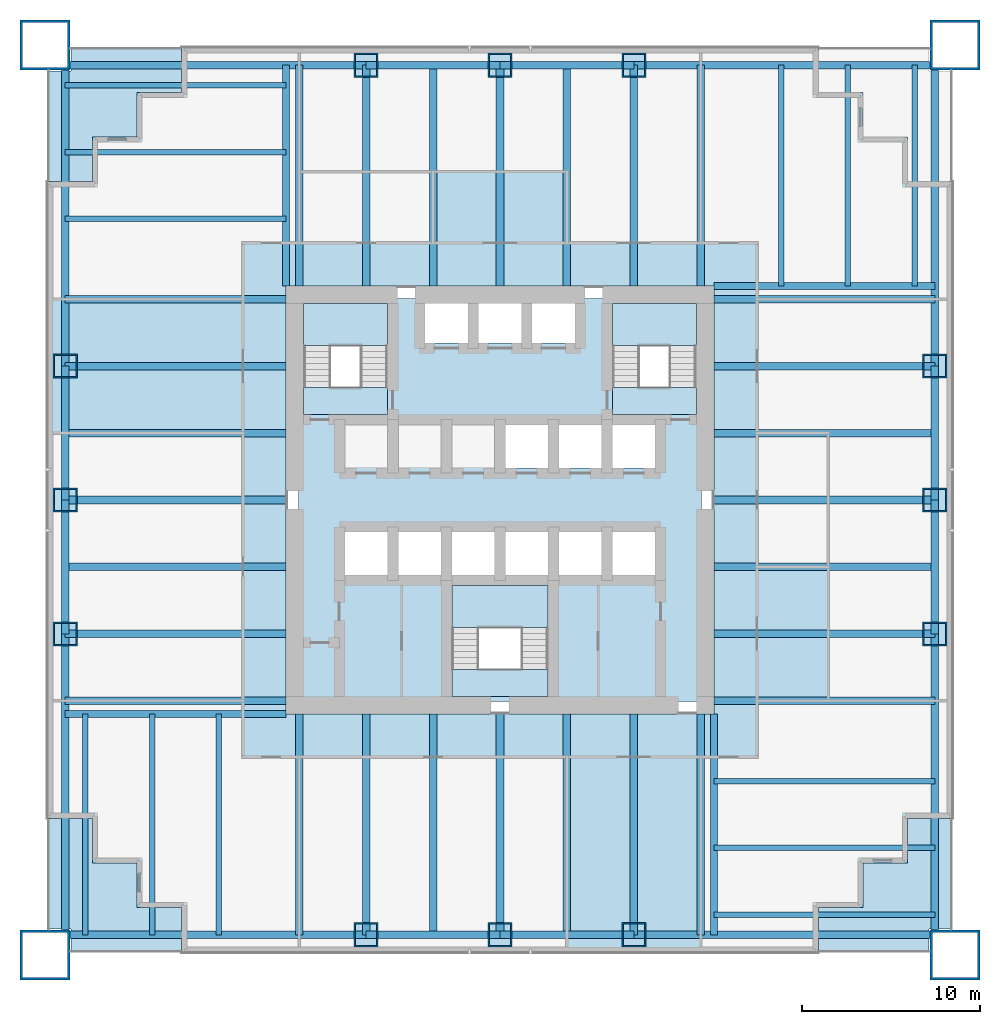
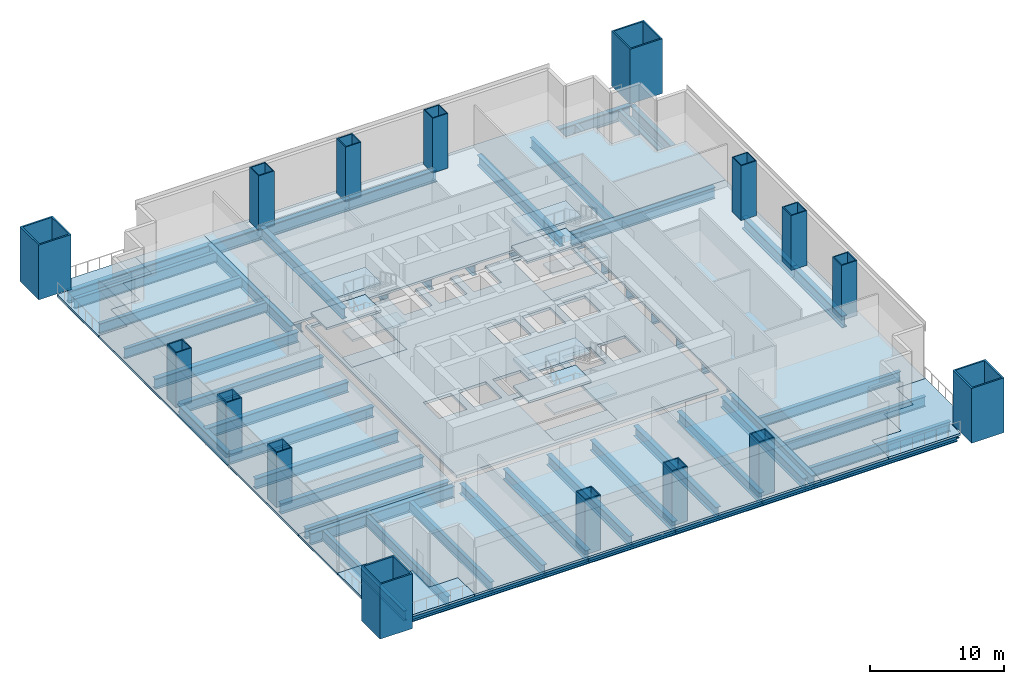
# One storey, part 1 of 7: 60 beams, 20 slabs, 16 columns, 3 elements without a shape of their own.
"""IFC4 building model written with IfcOpenShell, lengths in metres."""

import ifcopenshell
import ifcopenshell.guid

model = None  # the IFC model being written
_history = None  # IfcOwnerHistory: only IFC2X3 demands one
_inside = {}  # id of a spatial element -> (the spatial element, [elements in it])
_under = {}  # id of a project, library or spatial element -> (it, [spatial elements below it])
_declared = {}  # id of a project -> (the project, [libraries it declares])
_typed = {}  # id of a type object -> (the type object, [elements of that type])
_made_of = {}  # id of a material, layer set ... -> (it, [elements and type objects made of it])


def new_model(schema):
    """Start an empty IFC model of exactly this schema.

    Asked for "IFC4X3", IfcOpenShell would pick the latest addendum, in which some entities
    have other attributes; the version numbers below select the first issue.
    IFC2X3 requires an IfcOwnerHistory on every rooted entity: one is made here for all.
    """
    global model, _history
    if schema == "IFC4X3":
        model = ifcopenshell.file(schema_version=(4, 3, 0, 0))
    else:
        model = ifcopenshell.file(schema=schema)
    _inside.clear()
    _under.clear()
    _declared.clear()
    _typed.clear()
    _made_of.clear()
    _history = None
    if model.schema == "IFC2X3":
        org = make("IfcOrganization", Name="unknown")
        user = make(
            "IfcPersonAndOrganization",
            ThePerson=make("IfcPerson", FamilyName="unknown"),
            TheOrganization=org,
        )
        app = make(
            "IfcApplication",
            ApplicationDeveloper=org,
            Version="unknown",
            ApplicationFullName="unknown",
            ApplicationIdentifier="unknown",
        )
        _history = make(
            "IfcOwnerHistory",
            OwningUser=user,
            OwningApplication=app,
            ChangeAction="ADDED",
            CreationDate=0,
        )
    return model


def make(cls, **values):
    """One entity of the class cls with the attributes given. An attribute that is None is left unset."""
    return model.create_entity(
        cls, **{name: value for name, value in values.items() if value is not None}
    )


def rooted(cls, **values):
    """An entity with a GlobalId (a new one), such as an element, a storey or a relation."""
    return make(cls, GlobalId=ifcopenshell.guid.new(), OwnerHistory=_history, **values)


def si_unit(unit_type, name, prefix=None):
    """IfcSIUnit, for example si_unit("LENGTHUNIT", "METRE", prefix="MILLI")."""
    return make("IfcSIUnit", UnitType=unit_type, Prefix=prefix, Name=name)


def assignment(units):
    """IfcUnitAssignment: the units of a project."""
    return None if units is None else make("IfcUnitAssignment", Units=units)


def point(xyz):
    """IfcCartesianPoint."""
    return None if xyz is None else make("IfcCartesianPoint", Coordinates=xyz)


def direction(xyz):
    """IfcDirection."""
    return None if xyz is None else make("IfcDirection", DirectionRatios=xyz)


def frame(location, z_axis=None, x_axis=None):
    """IfcAxis2Placement3D, a coordinate frame: its origin and axes. An axis left out is left unset."""
    return make(
        "IfcAxis2Placement3D",
        Location=point(location),
        Axis=direction(z_axis),
        RefDirection=direction(x_axis),
    )


def frame_2d(location, x_axis=None):
    """IfcAxis2Placement2D, a coordinate frame in the plane: its origin and x axis."""
    return make(
        "IfcAxis2Placement2D", Location=point(location), RefDirection=direction(x_axis)
    )


def origin():
    """The frame at (0, 0, 0) with its axes left unset."""
    return frame((0.0, 0.0, 0.0))


def origin_2d():
    """The frame at (0, 0) in the plane with its x axis left unset."""
    return frame_2d((0.0, 0.0))


def place(relative_to, where):
    """IfcLocalPlacement: puts the frame where relative to a parent placement (None: the world)."""
    return make(
        "IfcLocalPlacement", PlacementRelTo=relative_to, RelativePlacement=where
    )


def context(
    kind, dimensions, precision=None, world=None, true_north=None, identifier=None
):
    """IfcGeometricRepresentationContext, for example the 3D "Model" context."""
    return make(
        "IfcGeometricRepresentationContext",
        ContextIdentifier=identifier,
        ContextType=kind,
        CoordinateSpaceDimension=dimensions,
        Precision=precision,
        WorldCoordinateSystem=world,
        TrueNorth=true_north,
    )


def subcontext(parent, identifier, kind, view, scale=None):
    """IfcGeometricRepresentationSubContext, for example "Body" below "Model"."""
    return make(
        "IfcGeometricRepresentationSubContext",
        ContextIdentifier=identifier,
        ContextType=kind,
        ParentContext=parent,
        TargetScale=scale,
        TargetView=view,
    )


def project(units=None, contexts=None):
    """IfcProject with its units and contexts."""
    return rooted(
        "IfcProject",
        Name="project",
        RepresentationContexts=contexts,
        UnitsInContext=assignment(units),
    )


def spatial(cls, under=None, at=None, **own):
    """A site, building, storey or space (cls), placed at a placement, below another one or the project."""
    s = rooted(cls, ObjectPlacement=at, **own)
    if under is not None:
        _under.setdefault(under.id(), (under, []))[1].append(s)
    return s


def polyline(points):
    """IfcPolyline through the points."""
    return make("IfcPolyline", Points=[point(p) for p in points])


def profile(cls, at=None, kind="AREA", **sizes):
    """A parametric profile (cls). Its sizes go by their IFC names, for example OverallWidth=200.0."""
    return make(cls, ProfileType=kind, Position=at, **sizes)


def hollow_rectangle(**sizes):
    """IfcRectangleHollowProfileDef."""
    return profile("IfcRectangleHollowProfileDef", **sizes)


def i_section(**sizes):
    """IfcIShapeProfileDef."""
    return profile("IfcIShapeProfileDef", **sizes)


def outline(outer, holes=None, kind="AREA"):
    """IfcArbitraryClosedProfileDef: a profile drawn as a closed curve; with holes, ...WithVoids."""
    if holes is None:
        return make("IfcArbitraryClosedProfileDef", ProfileType=kind, OuterCurve=outer)
    return make(
        "IfcArbitraryProfileDefWithVoids",
        ProfileType=kind,
        OuterCurve=outer,
        InnerCurves=holes,
    )


def extrude(swept, where, along, depth):
    """IfcExtrudedAreaSolid: the profile swept, set in the frame where, extruded along a direction by depth."""
    return make(
        "IfcExtrudedAreaSolid",
        SweptArea=swept,
        Position=where,
        ExtrudedDirection=direction(along),
        Depth=depth,
    )


def shape(context_of_items, identifier, shape_type, items):
    """IfcShapeRepresentation: the items that make up one representation, for example the "Body"."""
    return make(
        "IfcShapeRepresentation",
        ContextOfItems=context_of_items,
        RepresentationIdentifier=identifier,
        RepresentationType=shape_type,
        Items=items,
    )


def material(Name=None, Category=None):
    """IfcMaterial."""
    return make("IfcMaterial", Name=Name, Category=Category)


def layer(
    of_material, thickness, ventilated=None, Name=None, Category=None, Priority=None
):
    """IfcMaterialLayer: one layer of a wall or slab, of a material (None: an air gap)."""
    return make(
        "IfcMaterialLayer",
        Material=of_material,
        LayerThickness=thickness,
        IsVentilated=ventilated,
        Name=Name,
        Category=Category,
        Priority=Priority,
    )


def layer_set(layers, Name=None):
    """IfcMaterialLayerSet."""
    return make("IfcMaterialLayerSet", MaterialLayers=layers, LayerSetName=Name)


def material_profile(
    of_material, cross_section, Name=None, Category=None, Priority=None
):
    """IfcMaterialProfile: a cross section and its material."""
    return make(
        "IfcMaterialProfile",
        Name=Name,
        Material=of_material,
        Profile=cross_section,
        Priority=Priority,
        Category=Category,
    )


def profile_set(profiles, Name=None, composite=None):
    """IfcMaterialProfileSet."""
    return make(
        "IfcMaterialProfileSet",
        Name=Name,
        MaterialProfiles=profiles,
        CompositeProfile=composite,
    )


def made_of(thing, what):
    """Note that an element or type object is made of a material, layer set ...; save() writes the relation."""
    if what is not None:
        _made_of.setdefault(what.id(), (what, []))[1].append(thing)
    return thing


def type_object(cls, material=None, **own):
    """A type object (cls), such as IfcWallType, which elements share."""
    return made_of(rooted(cls, **own), material)


def element(
    cls,
    number,
    at=None,
    inside=None,
    cuts=None,
    type_object=None,
    material=None,
    context=None,
    identifier="Body",
    shape_type=None,
    held_by="IfcProductDefinitionShape",
    body=None,
    shapes=None,
    **own,
):
    """One element of the class cls, such as IfcWall. Its Tag is "e" and its number.

    at: its placement. inside: the storey or other place that contains it. cuts: it is an
    opening in that element (IfcRelVoidsElement). A single representation is given by context,
    identifier, shape_type and body (its items); several are given by shapes. held_by: the class
    of the entity that holds the representations. save() writes the other relations.
    """
    e = rooted(cls, Tag="e%d" % number, ObjectPlacement=at, **own)
    if body is not None:
        shapes = [shape(context, identifier, shape_type, body)]
    if shapes is not None:
        e.Representation = make(held_by, Representations=shapes)
    if inside is not None:
        _inside.setdefault(inside.id(), (inside, []))[1].append(e)
    if cuts is not None:
        rooted(
            "IfcRelVoidsElement", RelatingBuildingElement=cuts, RelatedOpeningElement=e
        )
    if type_object is not None:
        _typed.setdefault(type_object.id(), (type_object, []))[1].append(e)
    return made_of(e, material)


def aggregate(whole, parts):
    """IfcRelAggregates: a whole, such as a stair, and the parts it consists of."""
    return rooted("IfcRelAggregates", RelatingObject=whole, RelatedObjects=parts)


def save(model, path):
    """Write the relations noted so far, then the file.

    IfcRelAggregates (storeys below a building ...), IfcRelContainedInSpatialStructure (elements
    in a storey), IfcRelDefinesByType, IfcRelAssociatesMaterial and IfcRelDeclares: one each for
    every whole, place, type object, material and project.
    """
    for whole, parts in _under.values():
        aggregate(whole, parts)
    for where, things in _inside.values():
        rooted(
            "IfcRelContainedInSpatialStructure",
            RelatedElements=things,
            RelatingStructure=where,
        )
    for kind, things in _typed.values():
        rooted("IfcRelDefinesByType", RelatedObjects=things, RelatingType=kind)
    for what, things in _made_of.values():
        rooted("IfcRelAssociatesMaterial", RelatedObjects=things, RelatingMaterial=what)
    for by, libraries in _declared.values():
        rooted("IfcRelDeclares", RelatingContext=by, RelatedDefinitions=libraries)
    model.write(path)


model = new_model("IFC4")

# Units and contexts
model_context = context("Model", 3, precision=1e-05, world=origin(), true_north=direction((0.0, 1.0)))
body_context = subcontext(model_context, "Body", "Model", "MODEL_VIEW")
ifc_project = project(units=[si_unit("LENGTHUNIT", "METRE"), si_unit("AREAUNIT", "SQUARE_METRE"), si_unit("VOLUMEUNIT", "CUBIC_METRE"), si_unit("PLANEANGLEUNIT", "RADIAN"), si_unit("MASSUNIT", "GRAM", prefix="KILO")], contexts=[model_context])

# Site, building, storey
site_placement = place(None, origin())
site = spatial("IfcSite", under=ifc_project, at=site_placement, CompositionType="ELEMENT")
building_placement = place(site_placement, origin())
building = spatial("IfcBuilding", under=site, at=building_placement, Name="Tarangal Relay Tower", CompositionType="ELEMENT")
storey_placement = place(building_placement, frame((0.0, 0.0, 43.39990234375)))
storey = spatial("IfcBuildingStorey", under=building, at=storey_placement, Name="L08", CompositionType="ELEMENT", Elevation=43.39990234375)

# Columns
ifc_material_1 = material(Name="Steel ASTM A572 Grade 42", Category="steel")
ifc_material_profile_1 = material_profile(ifc_material_1, hollow_rectangle(XDim=2.800048828125, YDim=2.800048828125, WallThickness=0.139892578125, at=origin_2d()), Name="BOX2800X2800X140")
ifc_profile_set_1 = profile_set([ifc_material_profile_1], Name="Steel ASTM A572 Grade 42")
column_type_1 = type_object("IfcColumnType", Name="Mega column BOX2800X2800X140", PredefinedType="COLUMN", material=ifc_profile_set_1)
for number, where, z_axis, x_axis, name in (
    (1, (25.5, 25.5, 0.0), (0.0, 0.0, 1.0), (1.0, 0.0, 0.0), "Mega column MC1 NE L08"),
    (2, (25.5, -25.5, 0.0), (0.0, 0.0, 1.0), (1.0, 0.0, 0.0), "Mega column MC1 SE L08"),
    (3, (-25.5, -25.5, 0.0), (0.0, 0.0, 1.0), (1.0, 0.0, 0.0), "Mega column MC1 SW L08"),
    (4, (-25.5, 25.5, 0.0), (0.0, 0.0, 1.0), (1.0, 0.0, 0.0), "Mega column MC1 NW L08"),
):
    element("IfcColumn", number, at=place(storey_placement, frame(where, z_axis=z_axis, x_axis=x_axis)), inside=storey, type_object=column_type_1, Name=name, PredefinedType="COLUMN", context=body_context, shape_type="SweptSolid", body=[
        extrude(hollow_rectangle(XDim=2.800048828125, YDim=2.800048828125, WallThickness=0.139892578125, at=origin_2d()), origin(), (0.0, 0.0, 1.0), 5.0),
    ])
ifc_material_2 = material(Name="Steel ASTM A572 Grade 50", Category="steel")
ifc_material_profile_2 = material_profile(ifc_material_2, hollow_rectangle(XDim=1.35009765625, YDim=1.35009765625, WallThickness=0.0849609375, at=origin_2d()), Name="BOX1350X1350X85")
ifc_profile_set_2 = profile_set([ifc_material_profile_2], Name="Steel ASTM A572 Grade 50")
column_type_2 = type_object("IfcColumnType", Name="Perimeter column BOX1350X1350X85", PredefinedType="COLUMN", material=ifc_profile_set_2)
for number, where, z_axis, x_axis, name in (
    (5, (-7.5, 24.364990234375, 0.0), (0.0, 0.0, 1.0), (1.0, 0.0, 0.0), "Perimeter column PC2 N L08"),
    (6, (0.0, 24.364990234375, 0.0), (0.0, 0.0, 1.0), (1.0, 0.0, 0.0), "Perimeter column PC2 N L08"),
    (7, (7.5, 24.364990234375, 0.0), (0.0, 0.0, 1.0), (1.0, 0.0, 0.0), "Perimeter column PC2 N L08"),
    (8, (24.364990234375, 7.5, 0.0), (0.0, 0.0, 1.0), (1.0, 0.0, 0.0), "Perimeter column PC2 E L08"),
    (9, (24.364990234375, 0.0, 0.0), (0.0, 0.0, 1.0), (1.0, 0.0, 0.0), "Perimeter column PC2 E L08"),
    (10, (24.364990234375, -7.5, 0.0), (0.0, 0.0, 1.0), (1.0, 0.0, 0.0), "Perimeter column PC2 E L08"),
    (11, (7.5, -24.364990234375, 0.0), (0.0, 0.0, 1.0), (1.0, 0.0, 0.0), "Perimeter column PC2 S L08"),
    (12, (0.0, -24.364990234375, 0.0), (0.0, 0.0, 1.0), (1.0, 0.0, 0.0), "Perimeter column PC2 S L08"),
    (13, (-7.5, -24.364990234375, 0.0), (0.0, 0.0, 1.0), (1.0, 0.0, 0.0), "Perimeter column PC2 S L08"),
    (14, (-24.364990234375, -7.5, 0.0), (0.0, 0.0, 1.0), (1.0, 0.0, 0.0), "Perimeter column PC2 W L08"),
    (15, (-24.364990234375, 0.0, 0.0), (0.0, 0.0, 1.0), (1.0, 0.0, 0.0), "Perimeter column PC2 W L08"),
    (16, (-24.364990234375, 7.5, 0.0), (0.0, 0.0, 1.0), (1.0, 0.0, 0.0), "Perimeter column PC2 W L08"),
):
    element("IfcColumn", number, at=place(storey_placement, frame(where, z_axis=z_axis, x_axis=x_axis)), inside=storey, type_object=column_type_2, Name=name, PredefinedType="COLUMN", context=body_context, shape_type="SweptSolid", body=[
        extrude(hollow_rectangle(XDim=1.35009765625, YDim=1.35009765625, WallThickness=0.0849609375, at=origin_2d()), origin(), (0.0, 0.0, 1.0), 5.0),
    ])

# Beams
ifc_material_3 = material(Name="Steel ASTM A992", Category="steel")
ifc_material_profile_3 = material_profile(ifc_material_3, i_section(OverallWidth=0.307373046875, OverallDepth=0.927001953125, WebThickness=0.019287109375, FlangeThickness=0.031982421875, at=origin_2d()), Name="W36X194")
ifc_profile_set_3 = profile_set([ifc_material_profile_3], Name="Steel ASTM A992")
beam_type_1 = type_object("IfcBeamType", Name="Corner beam W36X194", PredefinedType="JOIST", material=ifc_profile_set_3)
for number, where, z_axis, x_axis, name in (
    (17, (15.75, 12.0, -0.66357421875), (0.0, 1.0, 0.0), (-1.0, 0.0, 0.0), "Corner beam CB10 N L08"),
    (18, (19.5, 12.0, -0.66357421875), (0.0, 1.0, 0.0), (-1.0, 0.0, 0.0), "Corner beam CB10 N L08"),
    (19, (23.25, 12.0, -0.66357421875), (0.0, 1.0, 0.0), (-1.0, 0.0, 0.0), "Corner beam CB10 N L08"),
    (20, (12.0, -15.75, -0.66357421875), (1.0, 0.0, 0.0), (0.0, 1.0, 0.0), "Corner beam CB10 E L08"),
    (21, (12.0, -19.5, -0.66357421875), (1.0, 0.0, 0.0), (0.0, 1.0, 0.0), "Corner beam CB10 E L08"),
    (22, (12.0, -23.25, -0.66357421875), (1.0, 0.0, 0.0), (0.0, 1.0, 0.0), "Corner beam CB10 E L08"),
    (23, (-15.75, -12.0, -0.66357421875), (0.0, -1.0, 0.0), (1.0, 0.0, 0.0), "Corner beam CB10 S L08"),
    (24, (-19.5, -12.0, -0.66357421875), (0.0, -1.0, 0.0), (1.0, 0.0, 0.0), "Corner beam CB10 S L08"),
    (25, (-23.25, -12.0, -0.66357421875), (0.0, -1.0, 0.0), (1.0, 0.0, 0.0), "Corner beam CB10 S L08"),
    (26, (-12.0, 15.75, -0.66357421875), (-1.0, 0.0, 0.0), (0.0, -1.0, 0.0), "Corner beam CB10 W L08"),
    (27, (-12.0, 19.5, -0.66357421875), (-1.0, 0.0, 0.0), (0.0, -1.0, 0.0), "Corner beam CB10 W L08"),
    (28, (-12.0, 23.25, -0.66357421875), (-1.0, 0.0, 0.0), (0.0, -1.0, 0.0), "Corner beam CB10 W L08"),
):
    element("IfcBeam", number, at=place(storey_placement, frame(where, z_axis=z_axis, x_axis=x_axis)), inside=storey, type_object=beam_type_1, Name=name, PredefinedType="JOIST", context=body_context, shape_type="SweptSolid", body=[
        extrude(i_section(OverallWidth=0.307373046875, OverallDepth=0.927001953125, WebThickness=0.019287109375, FlangeThickness=0.031982421875, at=origin_2d()), origin(), (0.0, 0.0, 1.0), 12.364990234375),
    ])
ifc_material_profile_4 = material_profile(ifc_material_3, i_section(OverallWidth=0.40380859375, OverallDepth=1.036376953125, WebThickness=0.031005859375, FlangeThickness=0.0458984375, at=origin_2d()), Name="W40X331")
ifc_profile_set_4 = profile_set([ifc_material_profile_4], Name="Steel ASTM A992")
beam_type_2 = type_object("IfcBeamType", Name="Corner girder W40X331", PredefinedType="BEAM", material=ifc_profile_set_4)
for number, where, z_axis, x_axis, name in (
    (29, (12.0, 12.0, -0.718017578125), (1.0, 0.0, 0.0), (0.0, 1.0, 0.0), "Corner girder CG2 N L08"),
    (30, (12.0, -12.0, -0.718017578125), (0.0, -1.0, 0.0), (1.0, 0.0, 0.0), "Corner girder CG2 E L08"),
    (31, (-12.0, -12.0, -0.718017578125), (-1.0, 0.0, 0.0), (0.0, -1.0, 0.0), "Corner girder CG2 S L08"),
    (32, (-12.0, 12.0, -0.718017578125), (0.0, 1.0, 0.0), (-1.0, 0.0, 0.0), "Corner girder CG2 W L08"),
):
    element("IfcBeam", number, at=place(storey_placement, frame(where, z_axis=z_axis, x_axis=x_axis)), inside=storey, type_object=beam_type_2, Name=name, PredefinedType="BEAM", context=body_context, shape_type="SweptSolid", body=[
        extrude(i_section(OverallWidth=0.40380859375, OverallDepth=1.036376953125, WebThickness=0.031005859375, FlangeThickness=0.0458984375, at=origin_2d()), origin(), (0.0, 0.0, 1.0), 12.364990234375),
    ])
ifc_material_profile_5 = material_profile(ifc_material_3, i_section(OverallWidth=0.42431640625, OverallDepth=1.09228515625, WebThickness=0.04541015625, FlangeThickness=0.08203125, at=origin_2d()), Name="W40X593")
ifc_profile_set_5 = profile_set([ifc_material_profile_5], Name="Steel ASTM A992")
beam_type_3 = type_object("IfcBeamType", Name="Edge girder W40X593", PredefinedType="SPANDREL", material=ifc_profile_set_5)
beam_1_placement = place(storey_placement, frame((-24.25, 24.364990234375, -0.74609375), z_axis=(1.0, 0.0, 0.0), x_axis=(0.0, 1.0, 0.0)))
element("IfcBeam", 33, at=beam_1_placement, inside=storey, type_object=beam_type_3, Name="Edge girder EG9 N L08", PredefinedType="SPANDREL", context=body_context, shape_type="SweptSolid", body=[
    extrude(i_section(OverallWidth=0.42431640625, OverallDepth=1.09228515625, WebThickness=0.04541015625, FlangeThickness=0.08203125, at=origin_2d()), origin(), (0.0, 0.0, 1.0), 16.75),
])
for number, where, z_axis, x_axis, name in (
    (34, (-7.5, 24.364990234375, -0.74609375), (1.0, 0.0, 0.0), (0.0, 1.0, 0.0), "Edge girder EG9 N L08"),
    (35, (0.0, 24.364990234375, -0.74609375), (1.0, 0.0, 0.0), (0.0, 1.0, 0.0), "Edge girder EG9 N L08"),
):
    element("IfcBeam", number, at=place(storey_placement, frame(where, z_axis=z_axis, x_axis=x_axis)), inside=storey, type_object=beam_type_3, Name=name, PredefinedType="SPANDREL", context=body_context, shape_type="SweptSolid", body=[
        extrude(i_section(OverallWidth=0.42431640625, OverallDepth=1.09228515625, WebThickness=0.04541015625, FlangeThickness=0.08203125, at=origin_2d()), origin(), (0.0, 0.0, 1.0), 7.5),
    ])
for number, where, z_axis, x_axis, name in (
    (36, (7.5, 24.364990234375, -0.74609375), (1.0, 0.0, 0.0), (0.0, 1.0, 0.0), "Edge girder EG9 N L08"),
    (37, (24.364990234375, 24.25, -0.74609375), (0.0, -1.0, 0.0), (1.0, 0.0, 0.0), "Edge girder EG9 E L08"),
):
    element("IfcBeam", number, at=place(storey_placement, frame(where, z_axis=z_axis, x_axis=x_axis)), inside=storey, type_object=beam_type_3, Name=name, PredefinedType="SPANDREL", context=body_context, shape_type="SweptSolid", body=[
        extrude(i_section(OverallWidth=0.42431640625, OverallDepth=1.09228515625, WebThickness=0.04541015625, FlangeThickness=0.08203125, at=origin_2d()), origin(), (0.0, 0.0, 1.0), 16.75),
    ])
for number, where, z_axis, x_axis, name in (
    (38, (24.364990234375, 7.5, -0.74609375), (0.0, -1.0, 0.0), (1.0, 0.0, 0.0), "Edge girder EG9 E L08"),
    (39, (24.364990234375, 0.0, -0.74609375), (0.0, -1.0, 0.0), (1.0, 0.0, 0.0), "Edge girder EG9 E L08"),
):
    element("IfcBeam", number, at=place(storey_placement, frame(where, z_axis=z_axis, x_axis=x_axis)), inside=storey, type_object=beam_type_3, Name=name, PredefinedType="SPANDREL", context=body_context, shape_type="SweptSolid", body=[
        extrude(i_section(OverallWidth=0.42431640625, OverallDepth=1.09228515625, WebThickness=0.04541015625, FlangeThickness=0.08203125, at=origin_2d()), origin(), (0.0, 0.0, 1.0), 7.5),
    ])
for number, where, z_axis, x_axis, name in (
    (40, (24.364990234375, -7.5, -0.74609375), (0.0, -1.0, 0.0), (1.0, 0.0, 0.0), "Edge girder EG9 E L08"),
    (41, (24.25, -24.364990234375, -0.74609375), (-1.0, 0.0, 0.0), (0.0, -1.0, 0.0), "Edge girder EG9 S L08"),
):
    element("IfcBeam", number, at=place(storey_placement, frame(where, z_axis=z_axis, x_axis=x_axis)), inside=storey, type_object=beam_type_3, Name=name, PredefinedType="SPANDREL", context=body_context, shape_type="SweptSolid", body=[
        extrude(i_section(OverallWidth=0.42431640625, OverallDepth=1.09228515625, WebThickness=0.04541015625, FlangeThickness=0.08203125, at=origin_2d()), origin(), (0.0, 0.0, 1.0), 16.75),
    ])
for number, where, z_axis, x_axis, name in (
    (42, (7.5, -24.364990234375, -0.74609375), (-1.0, 0.0, 0.0), (0.0, -1.0, 0.0), "Edge girder EG9 S L08"),
    (43, (0.0, -24.364990234375, -0.74609375), (-1.0, 0.0, 0.0), (0.0, -1.0, 0.0), "Edge girder EG9 S L08"),
):
    element("IfcBeam", number, at=place(storey_placement, frame(where, z_axis=z_axis, x_axis=x_axis)), inside=storey, type_object=beam_type_3, Name=name, PredefinedType="SPANDREL", context=body_context, shape_type="SweptSolid", body=[
        extrude(i_section(OverallWidth=0.42431640625, OverallDepth=1.09228515625, WebThickness=0.04541015625, FlangeThickness=0.08203125, at=origin_2d()), origin(), (0.0, 0.0, 1.0), 7.5),
    ])
for number, where, z_axis, x_axis, name in (
    (44, (-7.5, -24.364990234375, -0.74609375), (-1.0, 0.0, 0.0), (0.0, -1.0, 0.0), "Edge girder EG9 S L08"),
    (45, (-24.364990234375, -24.25, -0.74609375), (0.0, 1.0, 0.0), (-1.0, 0.0, 0.0), "Edge girder EG9 W L08"),
):
    element("IfcBeam", number, at=place(storey_placement, frame(where, z_axis=z_axis, x_axis=x_axis)), inside=storey, type_object=beam_type_3, Name=name, PredefinedType="SPANDREL", context=body_context, shape_type="SweptSolid", body=[
        extrude(i_section(OverallWidth=0.42431640625, OverallDepth=1.09228515625, WebThickness=0.04541015625, FlangeThickness=0.08203125, at=origin_2d()), origin(), (0.0, 0.0, 1.0), 16.75),
    ])
for number, where, z_axis, x_axis, name in (
    (46, (-24.364990234375, -7.5, -0.74609375), (0.0, 1.0, 0.0), (-1.0, 0.0, 0.0), "Edge girder EG9 W L08"),
    (47, (-24.364990234375, 0.0, -0.74609375), (0.0, 1.0, 0.0), (-1.0, 0.0, 0.0), "Edge girder EG9 W L08"),
):
    element("IfcBeam", number, at=place(storey_placement, frame(where, z_axis=z_axis, x_axis=x_axis)), inside=storey, type_object=beam_type_3, Name=name, PredefinedType="SPANDREL", context=body_context, shape_type="SweptSolid", body=[
        extrude(i_section(OverallWidth=0.42431640625, OverallDepth=1.09228515625, WebThickness=0.04541015625, FlangeThickness=0.08203125, at=origin_2d()), origin(), (0.0, 0.0, 1.0), 7.5),
    ])
beam_2_placement = place(storey_placement, frame((-24.364990234375, 7.5, -0.74609375), z_axis=(0.0, 1.0, 0.0), x_axis=(-1.0, 0.0, 0.0)))
element("IfcBeam", 48, at=beam_2_placement, inside=storey, type_object=beam_type_3, Name="Edge girder EG9 W L08", PredefinedType="SPANDREL", context=body_context, shape_type="SweptSolid", body=[
    extrude(i_section(OverallWidth=0.42431640625, OverallDepth=1.09228515625, WebThickness=0.04541015625, FlangeThickness=0.08203125, at=origin_2d()), origin(), (0.0, 0.0, 1.0), 16.75),
])
ifc_material_profile_6 = material_profile(ifc_material_3, i_section(OverallWidth=0.42431640625, OverallDepth=0.947509765625, WebThickness=0.02392578125, FlangeThickness=0.042724609375, at=origin_2d()), Name="W36X302")
ifc_profile_set_6 = profile_set([ifc_material_profile_6], Name="Steel ASTM A992")
beam_type_4 = type_object("IfcBeamType", Name="Floor beam W36X302", PredefinedType="BEAM", material=ifc_profile_set_6)
for number, where, z_axis, x_axis, name in (
    (49, (-11.25, 12.0, -0.673583984375), (0.0, 1.0, 0.0), (-1.0, 0.0, 0.0), "Floor beam RB10 N L08"),
    (50, (-7.5, 12.0, -0.673583984375), (0.0, 1.0, 0.0), (-1.0, 0.0, 0.0), "Floor beam RB10 N L08"),
    (51, (-3.75, 12.0, -0.673583984375), (0.0, 1.0, 0.0), (-1.0, 0.0, 0.0), "Floor beam RB10 N L08"),
    (52, (0.0, 12.0, -0.673583984375), (0.0, 1.0, 0.0), (-1.0, 0.0, 0.0), "Floor beam RB10 N L08"),
    (53, (3.75, 12.0, -0.673583984375), (0.0, 1.0, 0.0), (-1.0, 0.0, 0.0), "Floor beam RB10 N L08"),
    (54, (7.5, 12.0, -0.673583984375), (0.0, 1.0, 0.0), (-1.0, 0.0, 0.0), "Floor beam RB10 N L08"),
    (55, (11.25, 12.0, -0.673583984375), (0.0, 1.0, 0.0), (-1.0, 0.0, 0.0), "Floor beam RB10 N L08"),
    (56, (12.0, 11.25, -0.673583984375), (1.0, 0.0, 0.0), (0.0, 1.0, 0.0), "Floor beam RB10 E L08"),
    (57, (12.0, 7.5, -0.673583984375), (1.0, 0.0, 0.0), (0.0, 1.0, 0.0), "Floor beam RB10 E L08"),
    (58, (12.0, 3.75, -0.673583984375), (1.0, 0.0, 0.0), (0.0, 1.0, 0.0), "Floor beam RB10 E L08"),
    (59, (12.0, 0.0, -0.673583984375), (1.0, 0.0, 0.0), (0.0, 1.0, 0.0), "Floor beam RB10 E L08"),
    (60, (12.0, -3.75, -0.673583984375), (1.0, 0.0, 0.0), (0.0, 1.0, 0.0), "Floor beam RB10 E L08"),
    (61, (12.0, -7.5, -0.673583984375), (1.0, 0.0, 0.0), (0.0, 1.0, 0.0), "Floor beam RB10 E L08"),
    (62, (12.0, -11.25, -0.673583984375), (1.0, 0.0, 0.0), (0.0, 1.0, 0.0), "Floor beam RB10 E L08"),
    (63, (11.25, -12.0, -0.673583984375), (0.0, -1.0, 0.0), (1.0, 0.0, 0.0), "Floor beam RB10 S L08"),
    (64, (7.5, -12.0, -0.673583984375), (0.0, -1.0, 0.0), (1.0, 0.0, 0.0), "Floor beam RB10 S L08"),
    (65, (3.75, -12.0, -0.673583984375), (0.0, -1.0, 0.0), (1.0, 0.0, 0.0), "Floor beam RB10 S L08"),
    (66, (0.0, -12.0, -0.673583984375), (0.0, -1.0, 0.0), (1.0, 0.0, 0.0), "Floor beam RB10 S L08"),
    (67, (-3.75, -12.0, -0.673583984375), (0.0, -1.0, 0.0), (1.0, 0.0, 0.0), "Floor beam RB10 S L08"),
    (68, (-7.5, -12.0, -0.673583984375), (0.0, -1.0, 0.0), (1.0, 0.0, 0.0), "Floor beam RB10 S L08"),
    (69, (-11.25, -12.0, -0.673583984375), (0.0, -1.0, 0.0), (1.0, 0.0, 0.0), "Floor beam RB10 S L08"),
    (70, (-12.0, -11.25, -0.673583984375), (-1.0, 0.0, 0.0), (0.0, -1.0, 0.0), "Floor beam RB10 W L08"),
    (71, (-12.0, -7.5, -0.673583984375), (-1.0, 0.0, 0.0), (0.0, -1.0, 0.0), "Floor beam RB10 W L08"),
    (72, (-12.0, -3.75, -0.673583984375), (-1.0, 0.0, 0.0), (0.0, -1.0, 0.0), "Floor beam RB10 W L08"),
    (73, (-12.0, 0.0, -0.673583984375), (-1.0, 0.0, 0.0), (0.0, -1.0, 0.0), "Floor beam RB10 W L08"),
    (74, (-12.0, 3.75, -0.673583984375), (-1.0, 0.0, 0.0), (0.0, -1.0, 0.0), "Floor beam RB10 W L08"),
    (75, (-12.0, 7.5, -0.673583984375), (-1.0, 0.0, 0.0), (0.0, -1.0, 0.0), "Floor beam RB10 W L08"),
    (76, (-12.0, 11.25, -0.673583984375), (-1.0, 0.0, 0.0), (0.0, -1.0, 0.0), "Floor beam RB10 W L08"),
):
    element("IfcBeam", number, at=place(storey_placement, frame(where, z_axis=z_axis, x_axis=x_axis)), inside=storey, type_object=beam_type_4, Name=name, PredefinedType="BEAM", context=body_context, shape_type="SweptSolid", body=[
        extrude(i_section(OverallWidth=0.42431640625, OverallDepth=0.947509765625, WebThickness=0.02392578125, FlangeThickness=0.042724609375, at=origin_2d()), origin(), (0.0, 0.0, 1.0), 12.364990234375),
    ])

# Slabs
ifc_material_4 = material(Name="Concrete fc' 35 MPa", Category="concrete")
ifc_layer_1 = layer(ifc_material_4, 0.25)
ifc_layer_set_1 = layer_set([ifc_layer_1], Name="Core floor slab 250")
slab_type_1 = type_object("IfcSlabType", Name="Core floor slab 250", PredefinedType="FLOOR", material=ifc_layer_set_1)
slab_1_placement = place(storey_placement, frame((0.0, 0.0, -0.25)))
element("IfcSlab", 77, at=slab_1_placement, inside=storey, type_object=slab_type_1, Name="Core floor slab L08", PredefinedType="FLOOR", context=body_context, shape_type="SweptSolid", body=[
    extrude(outline(polyline([(11.300048828125, 11.300048828125), (11.300048828125, -11.300048828125), (-11.300048828125, -11.300048828125), (-11.300048828125, 11.300048828125), (-4.199951171875, 11.300048828125), (-4.199951171875, 8.800048828125), (-1.800048828125, 8.800048828125), (-1.800048828125, 11.300048828125), (-1.199951171875, 11.300048828125), (-1.199951171875, 8.800048828125), (1.199951171875, 8.800048828125), (1.199951171875, 11.300048828125), (1.800048828125, 11.300048828125), (1.800048828125, 8.800048828125), (4.199951171875, 8.800048828125), (4.199951171875, 11.300048828125), (11.300048828125, 11.300048828125)]), holes=[polyline([(2.699951171875, -4.800048828125), (-2.699951171875, -4.800048828125), (-2.699951171875, -11.0), (2.699951171875, -11.0), (2.699951171875, -4.800048828125)]), polyline([(-6.300048828125, -4.199951171875), (-6.300048828125, -1.800048828125), (-8.699951171875, -1.800048828125), (-8.699951171875, -4.199951171875), (-6.300048828125, -4.199951171875)]), polyline([(-3.300048828125, -4.199951171875), (-3.300048828125, -1.800048828125), (-5.699951171875, -1.800048828125), (-5.699951171875, -4.199951171875), (-3.300048828125, -4.199951171875)]), polyline([(-0.300048828125, -4.199951171875), (-0.300048828125, -1.800048828125), (-2.699951171875, -1.800048828125), (-2.699951171875, -4.199951171875), (-0.300048828125, -4.199951171875)]), polyline([(2.699951171875, 1.800048828125), (2.699951171875, 4.199951171875), (0.300048828125, 4.199951171875), (0.300048828125, 1.800048828125), (2.699951171875, 1.800048828125)]), polyline([(-6.300048828125, 4.800048828125), (-6.300048828125, 11.0), (-11.0, 11.0), (-11.0, 4.800048828125), (-6.300048828125, 4.800048828125)]), polyline([(2.699951171875, -4.199951171875), (2.699951171875, -1.800048828125), (0.300048828125, -1.800048828125), (0.300048828125, -4.199951171875), (2.699951171875, -4.199951171875)]), polyline([(5.699951171875, -4.199951171875), (5.699951171875, -1.800048828125), (3.300048828125, -1.800048828125), (3.300048828125, -4.199951171875), (5.699951171875, -4.199951171875)]), polyline([(8.699951171875, -4.199951171875), (8.699951171875, -1.800048828125), (6.300048828125, -1.800048828125), (6.300048828125, -4.199951171875), (8.699951171875, -4.199951171875)]), polyline([(5.699951171875, 1.800048828125), (5.699951171875, 4.199951171875), (3.300048828125, 4.199951171875), (3.300048828125, 1.800048828125), (5.699951171875, 1.800048828125)]), polyline([(8.699951171875, 1.800048828125), (8.699951171875, 4.199951171875), (6.300048828125, 4.199951171875), (6.300048828125, 1.800048828125), (8.699951171875, 1.800048828125)]), polyline([(11.0, 4.800048828125), (11.0, 11.0), (6.300048828125, 11.0), (6.300048828125, 4.800048828125), (11.0, 4.800048828125)])]), origin(), (0.0, 0.0, 1.0), 0.25),
])
ifc_layer_2 = layer(ifc_material_4, 0.199951171875)
ifc_layer_set_2 = layer_set([ifc_layer_2], Name="Floor slab 200")
slab_type_2 = type_object("IfcSlabType", Name="Floor slab 200", PredefinedType="FLOOR", material=ifc_layer_set_2)
slab_2_placement = place(storey_placement, frame((0.0, 0.0, -0.199951171875)))
element("IfcSlab", 78, at=slab_2_placement, inside=storey, type_object=slab_type_2, Name="Floor slab FS2 L08 north bay", PredefinedType="FLOOR", context=body_context, shape_type="SweptSolid", body=[
    extrude(outline(polyline([(17.85009765625, 25.35009765625), (17.85009765625, 22.85009765625), (20.35009765625, 22.85009765625), (20.35009765625, 20.35009765625), (22.85009765625, 20.35009765625), (22.85009765625, 17.85009765625), (25.35009765625, 17.85009765625), (25.35009765625, 12.0), (-12.0, 12.0), (-12.0, 25.35009765625), (17.85009765625, 25.35009765625)])), origin(), (0.0, 0.0, 1.0), 0.199951171875),
])
slab_3_placement = place(storey_placement, frame((0.0, 0.0, -0.199951171875)))
element("IfcSlab", 79, at=slab_3_placement, inside=storey, type_object=slab_type_2, Name="Floor slab FS2 L08 east bay", PredefinedType="FLOOR", context=body_context, shape_type="SweptSolid", body=[
    extrude(outline(polyline([(25.35009765625, -17.85009765625), (22.85009765625, -17.85009765625), (22.85009765625, -20.35009765625), (20.35009765625, -20.35009765625), (20.35009765625, -22.85009765625), (17.85009765625, -22.85009765625), (17.85009765625, -25.35009765625), (12.0, -25.35009765625), (12.0, 12.0), (25.35009765625, 12.0), (25.35009765625, -17.85009765625)])), origin(), (0.0, 0.0, 1.0), 0.199951171875),
])
slab_4_placement = place(storey_placement, frame((0.0, 0.0, -0.199951171875)))
element("IfcSlab", 80, at=slab_4_placement, inside=storey, type_object=slab_type_2, Name="Floor slab FS2 L08 south bay", PredefinedType="FLOOR", context=body_context, shape_type="SweptSolid", body=[
    extrude(outline(polyline([(-17.85009765625, -25.35009765625), (-17.85009765625, -22.85009765625), (-20.35009765625, -22.85009765625), (-20.35009765625, -20.35009765625), (-22.85009765625, -20.35009765625), (-22.85009765625, -17.85009765625), (-25.35009765625, -17.85009765625), (-25.35009765625, -12.0), (12.0, -12.0), (12.0, -25.35009765625), (-17.85009765625, -25.35009765625)])), origin(), (0.0, 0.0, 1.0), 0.199951171875),
])
slab_5_placement = place(storey_placement, frame((0.0, 0.0, -0.199951171875)))
element("IfcSlab", 81, at=slab_5_placement, inside=storey, type_object=slab_type_2, Name="Floor slab FS2 L08 west bay", PredefinedType="FLOOR", context=body_context, shape_type="SweptSolid", body=[
    extrude(outline(polyline([(-12.0, 25.35009765625), (-12.0, -12.0), (-25.35009765625, -12.0), (-25.35009765625, 17.85009765625), (-22.85009765625, 17.85009765625), (-22.85009765625, 20.35009765625), (-20.35009765625, 20.35009765625), (-20.35009765625, 22.85009765625), (-17.85009765625, 22.85009765625), (-17.85009765625, 25.35009765625), (-12.0, 25.35009765625)])), origin(), (0.0, 0.0, 1.0), 0.199951171875),
])

# Stair, slabs
ifc_material_5 = material(Name="Steel ASTM A992 stair flight", Category="steel")
stair_type = type_object("IfcStairType", Name="Core stair 1500", PredefinedType="HALF_TURN_STAIR", material=ifc_material_5)
stair_1_placement = place(storey_placement, origin())
stair_1 = element("IfcStair", 82, at=stair_1_placement, inside=storey, type_object=stair_type, Name="Stair ST-A L08", PredefinedType="HALF_TURN_STAIR")
ifc_layer_3 = layer(ifc_material_4, 0.199951171875)
ifc_layer_set_3 = layer_set([ifc_layer_3], Name="Stair landing 200")
slab_type_3 = type_object("IfcSlabType", Name="Stair landing 200", PredefinedType="LANDING", material=ifc_layer_set_3)
slab_6_placement = place(storey_placement, frame((0.0, 0.0, -0.199951171875)))
slab_6 = element("IfcSlab", 83, at=slab_6_placement, type_object=slab_type_3, Name="ST-A landing 1", PredefinedType="LANDING", context=body_context, shape_type="SweptSolid", body=[
    extrude(outline(polyline([(-11.0, 4.800048828125), (-6.300048828125, 4.800048828125), (-6.300048828125, 6.300048828125), (-11.0, 6.300048828125), (-11.0, 4.800048828125)])), origin(), (0.0, 0.0, 1.0), 0.199951171875),
])
slab_7_placement = place(storey_placement, frame((0.0, 0.0, 1.050048828125)))
slab_7 = element("IfcSlab", 84, at=slab_7_placement, type_object=slab_type_3, Name="ST-A landing 2", PredefinedType="LANDING", context=body_context, shape_type="SweptSolid", body=[
    extrude(outline(polyline([(-11.0, 8.64501953125), (-6.300048828125, 8.64501953125), (-6.300048828125, 11.0), (-11.0, 11.0), (-11.0, 8.64501953125)])), origin(), (0.0, 0.0, 1.0), 0.199951171875),
])
slab_8_placement = place(storey_placement, frame((0.0, 0.0, 2.300048828125)))
slab_8 = element("IfcSlab", 85, at=slab_8_placement, type_object=slab_type_3, Name="ST-A landing 3", PredefinedType="LANDING", context=body_context, shape_type="SweptSolid", body=[
    extrude(outline(polyline([(-11.0, 4.800048828125), (-6.300048828125, 4.800048828125), (-6.300048828125, 6.300048828125), (-11.0, 6.300048828125), (-11.0, 4.800048828125)])), origin(), (0.0, 0.0, 1.0), 0.199951171875),
])
slab_9_placement = place(storey_placement, frame((0.0, 0.0, 3.550048828125)))
slab_9 = element("IfcSlab", 86, at=slab_9_placement, type_object=slab_type_3, Name="ST-A landing 4", PredefinedType="LANDING", context=body_context, shape_type="SweptSolid", body=[
    extrude(outline(polyline([(-11.0, 8.64501953125), (-6.300048828125, 8.64501953125), (-6.300048828125, 11.0), (-11.0, 11.0), (-11.0, 8.64501953125)])), origin(), (0.0, 0.0, 1.0), 0.199951171875),
])
aggregate(stair_1, [slab_6, slab_7, slab_8, slab_9])

stair_2_placement = place(storey_placement, origin())
stair_2 = element("IfcStair", 87, at=stair_2_placement, inside=storey, type_object=stair_type, Name="Stair ST-B L08", PredefinedType="HALF_TURN_STAIR")
slab_10_placement = place(storey_placement, frame((0.0, 0.0, -0.199951171875)))
slab_10 = element("IfcSlab", 88, at=slab_10_placement, type_object=slab_type_3, Name="ST-B landing 1", PredefinedType="LANDING", context=body_context, shape_type="SweptSolid", body=[
    extrude(outline(polyline([(6.300048828125, 4.800048828125), (11.0, 4.800048828125), (11.0, 6.300048828125), (6.300048828125, 6.300048828125), (6.300048828125, 4.800048828125)])), origin(), (0.0, 0.0, 1.0), 0.199951171875),
])
slab_11_placement = place(storey_placement, frame((0.0, 0.0, 1.050048828125)))
slab_11 = element("IfcSlab", 89, at=slab_11_placement, type_object=slab_type_3, Name="ST-B landing 2", PredefinedType="LANDING", context=body_context, shape_type="SweptSolid", body=[
    extrude(outline(polyline([(6.300048828125, 8.64501953125), (11.0, 8.64501953125), (11.0, 11.0), (6.300048828125, 11.0), (6.300048828125, 8.64501953125)])), origin(), (0.0, 0.0, 1.0), 0.199951171875),
])
slab_12_placement = place(storey_placement, frame((0.0, 0.0, 2.300048828125)))
slab_12 = element("IfcSlab", 90, at=slab_12_placement, type_object=slab_type_3, Name="ST-B landing 3", PredefinedType="LANDING", context=body_context, shape_type="SweptSolid", body=[
    extrude(outline(polyline([(6.300048828125, 4.800048828125), (11.0, 4.800048828125), (11.0, 6.300048828125), (6.300048828125, 6.300048828125), (6.300048828125, 4.800048828125)])), origin(), (0.0, 0.0, 1.0), 0.199951171875),
])
slab_13_placement = place(storey_placement, frame((0.0, 0.0, 3.550048828125)))
slab_13 = element("IfcSlab", 91, at=slab_13_placement, type_object=slab_type_3, Name="ST-B landing 4", PredefinedType="LANDING", context=body_context, shape_type="SweptSolid", body=[
    extrude(outline(polyline([(6.300048828125, 8.64501953125), (11.0, 8.64501953125), (11.0, 11.0), (6.300048828125, 11.0), (6.300048828125, 8.64501953125)])), origin(), (0.0, 0.0, 1.0), 0.199951171875),
])
aggregate(stair_2, [slab_10, slab_11, slab_12, slab_13])

stair_3_placement = place(storey_placement, origin())
stair_3 = element("IfcStair", 92, at=stair_3_placement, inside=storey, type_object=stair_type, Name="Stair ST-C L08", PredefinedType="HALF_TURN_STAIR")
slab_14_placement = place(storey_placement, frame((0.0, 0.0, -0.199951171875)))
slab_14 = element("IfcSlab", 93, at=slab_14_placement, type_object=slab_type_3, Name="ST-C landing 1", PredefinedType="LANDING", context=body_context, shape_type="SweptSolid", body=[
    extrude(outline(polyline([(-2.699951171875, -11.0), (2.699951171875, -11.0), (2.699951171875, -9.5), (-2.699951171875, -9.5), (-2.699951171875, -11.0)])), origin(), (0.0, 0.0, 1.0), 0.199951171875),
])
slab_15_placement = place(storey_placement, frame((0.0, 0.0, 1.050048828125)))
slab_15 = element("IfcSlab", 94, at=slab_15_placement, type_object=slab_type_3, Name="ST-C landing 2", PredefinedType="LANDING", context=body_context, shape_type="SweptSolid", body=[
    extrude(outline(polyline([(-2.699951171875, -7.155029296875), (2.699951171875, -7.155029296875), (2.699951171875, -4.800048828125), (-2.699951171875, -4.800048828125), (-2.699951171875, -7.155029296875)])), origin(), (0.0, 0.0, 1.0), 0.199951171875),
])
slab_16_placement = place(storey_placement, frame((0.0, 0.0, 2.300048828125)))
slab_16 = element("IfcSlab", 95, at=slab_16_placement, type_object=slab_type_3, Name="ST-C landing 3", PredefinedType="LANDING", context=body_context, shape_type="SweptSolid", body=[
    extrude(outline(polyline([(-2.699951171875, -11.0), (2.699951171875, -11.0), (2.699951171875, -9.5), (-2.699951171875, -9.5), (-2.699951171875, -11.0)])), origin(), (0.0, 0.0, 1.0), 0.199951171875),
])
slab_17_placement = place(storey_placement, frame((0.0, 0.0, 3.550048828125)))
slab_17 = element("IfcSlab", 96, at=slab_17_placement, type_object=slab_type_3, Name="ST-C landing 4", PredefinedType="LANDING", context=body_context, shape_type="SweptSolid", body=[
    extrude(outline(polyline([(-2.699951171875, -7.155029296875), (2.699951171875, -7.155029296875), (2.699951171875, -4.800048828125), (-2.699951171875, -4.800048828125), (-2.699951171875, -7.155029296875)])), origin(), (0.0, 0.0, 1.0), 0.199951171875),
])
aggregate(stair_3, [slab_14, slab_15, slab_16, slab_17])

# Slabs
ifc_layer_4 = layer(ifc_material_4, 0.199951171875)
ifc_layer_set_4 = layer_set([ifc_layer_4], Name="Terrace slab 200")
slab_type_4 = type_object("IfcSlabType", Name="Terrace slab 200", PredefinedType="FLOOR", material=ifc_layer_set_4)
slab_18_placement = place(storey_placement, frame((0.0, 0.0, -0.199951171875)))
element("IfcSlab", 97, at=slab_18_placement, inside=storey, type_object=slab_type_4, Name="Corner terrace SE L08", PredefinedType="FLOOR", context=body_context, shape_type="SweptSolid", body=[
    extrude(outline(polyline([(25.35009765625, -17.85009765625), (22.85009765625, -17.85009765625), (22.85009765625, -20.35009765625), (20.35009765625, -20.35009765625), (20.35009765625, -22.85009765625), (17.85009765625, -22.85009765625), (17.85009765625, -25.35009765625), (24.050048828125, -25.35009765625), (24.050048828125, -24.050048828125), (25.35009765625, -24.050048828125), (25.35009765625, -17.85009765625)])), origin(), (0.0, 0.0, 1.0), 0.199951171875),
])
slab_19_placement = place(storey_placement, frame((0.0, 0.0, -0.199951171875)))
element("IfcSlab", 98, at=slab_19_placement, inside=storey, type_object=slab_type_4, Name="Corner terrace SW L08", PredefinedType="FLOOR", context=body_context, shape_type="SweptSolid", body=[
    extrude(outline(polyline([(-17.85009765625, -25.35009765625), (-17.85009765625, -22.85009765625), (-20.35009765625, -22.85009765625), (-20.35009765625, -20.35009765625), (-22.85009765625, -20.35009765625), (-22.85009765625, -17.85009765625), (-25.35009765625, -17.85009765625), (-25.35009765625, -24.050048828125), (-24.050048828125, -24.050048828125), (-24.050048828125, -25.35009765625), (-17.85009765625, -25.35009765625)])), origin(), (0.0, 0.0, 1.0), 0.199951171875),
])
slab_20_placement = place(storey_placement, frame((0.0, 0.0, -0.199951171875)))
element("IfcSlab", 99, at=slab_20_placement, inside=storey, type_object=slab_type_4, Name="Corner terrace NW L08", PredefinedType="FLOOR", context=body_context, shape_type="SweptSolid", body=[
    extrude(outline(polyline([(-25.35009765625, 17.85009765625), (-22.85009765625, 17.85009765625), (-22.85009765625, 20.35009765625), (-20.35009765625, 20.35009765625), (-20.35009765625, 22.85009765625), (-17.85009765625, 22.85009765625), (-17.85009765625, 25.35009765625), (-24.050048828125, 25.35009765625), (-24.050048828125, 24.050048828125), (-25.35009765625, 24.050048828125), (-25.35009765625, 17.85009765625)])), origin(), (0.0, 0.0, 1.0), 0.199951171875),
])

save(model, "model.ifc")
